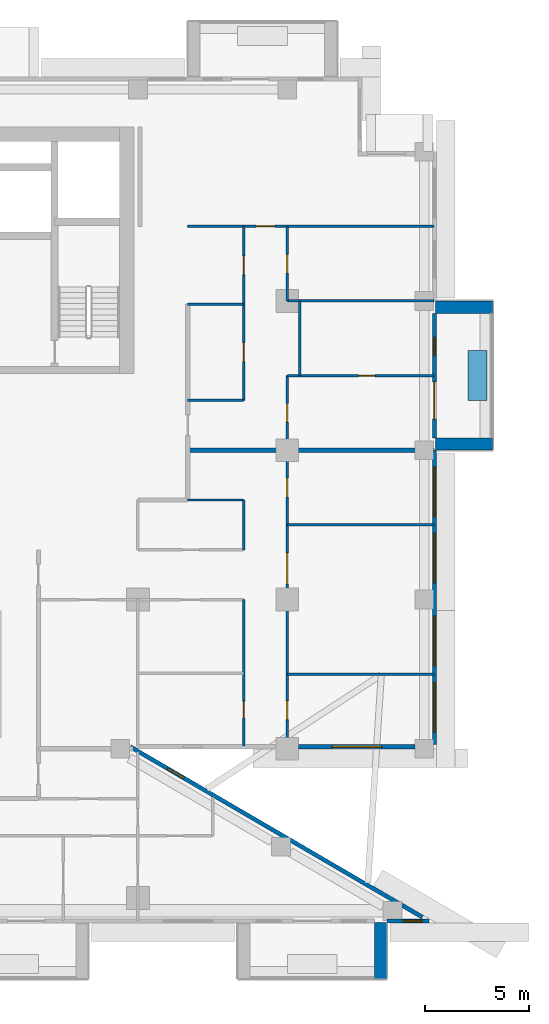
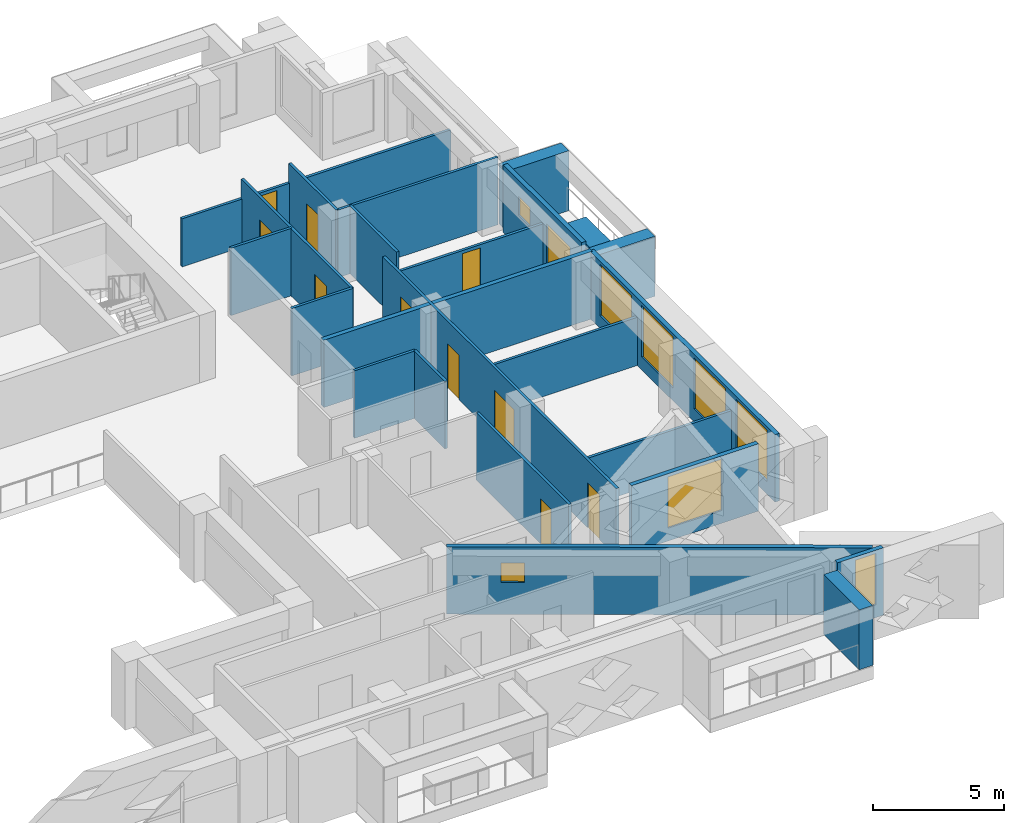
# One storey, part 11 of 19: 24 walls, 11 doors, 8 windows, 19 openings.
"""IFC4 building model written with IfcOpenShell, lengths in metres."""

from ifc_helpers import new_model, si_unit, direction, frame, frame_2d, origin, place, context, subcontext, project, spatial, rectangle, extrude, material, layer, layer_set, type_object, element, fill, save


model = new_model("IFC4")

# Units and contexts
model_context = context("Model", 3, precision=1e-05, world=origin(), true_north=direction((0.0, 1.0)))
body_context = subcontext(model_context, "Body", "Model", "MODEL_VIEW")
ifc_project = project(units=[si_unit("LENGTHUNIT", "METRE"), si_unit("AREAUNIT", "SQUARE_METRE"), si_unit("VOLUMEUNIT", "CUBIC_METRE"), si_unit("PLANEANGLEUNIT", "RADIAN"), si_unit("MASSUNIT", "GRAM", prefix="KILO")], contexts=[model_context])

# Site, building, storey
site_placement = place(None, origin())
site = spatial("IfcSite", under=ifc_project, at=site_placement, CompositionType="ELEMENT")
building_placement = place(site_placement, origin())
building = spatial("IfcBuilding", under=site, at=building_placement, Name="Saffron Iwan Residences", CompositionType="ELEMENT")
storey_placement = place(building_placement, frame((0.0, 0.0, 134.0)))
storey = spatial("IfcBuildingStorey", under=building, at=storey_placement, Name="L35", CompositionType="ELEMENT", Elevation=134.0)

# Walls
ifc_material_1 = material(Name="Concrete C50/60 white painted", Category="concrete")
ifc_layer_1 = layer(ifc_material_1, 0.60009765625)
ifc_layer_set_1 = layer_set([ifc_layer_1], Name="Concrete C50/60 white painted")
wall_type_1 = type_object("IfcWallType", Name="BALCONY FIN 600", PredefinedType="SOLIDWALL", material=ifc_layer_set_1)
for number, where, z_axis, x_axis, name in (
    (1, (86.35009765625, 62.699951171875, 0.0), (0.0, 0.0, 1.0), (1.0, 0.0, 0.0), "Balcony fin L35 F2-0a"),
    (2, (86.35009765625, 69.300048828125, 0.0), (0.0, 0.0, 1.0), (1.0, 0.0, 0.0), "Balcony fin L35 F2-0b"),
):
    element("IfcWall", number, at=place(storey_placement, frame(where, z_axis=z_axis, x_axis=x_axis)), inside=storey, type_object=wall_type_1, Name=name, PredefinedType="SOLIDWALL", context=body_context, shape_type="SweptSolid", body=[
        extrude(rectangle(XDim=2.75, YDim=0.60009765625, at=frame_2d((1.375, 0.0))), origin(), (0.0, 0.0, 1.0), 2.800048828125),
    ])
wall_1_placement = place(storey_placement, frame((83.699951171875, 39.624267578125, 0.0), z_axis=(0.0, 0.0, 1.0), x_axis=(0.0, -1.0, 0.0)))
element("IfcWall", 3, at=wall_1_placement, inside=storey, type_object=wall_type_1, Name="Balcony fin L35 11-3b", PredefinedType="SOLIDWALL", context=body_context, shape_type="SweptSolid", body=[
    extrude(rectangle(XDim=2.724365234375, YDim=0.60009765625, at=frame_2d((1.3623046875, 0.0))), origin(), (0.0, 0.0, 1.0), 2.800048828125),
])
ifc_material_2 = material(Name="Concrete C35/45 white painted", Category="concrete")
ifc_layer_2 = layer(ifc_material_2, 0.14990234375)
ifc_layer_set_2 = layer_set([ifc_layer_2], Name="Concrete C35/45 white painted")
wall_type_2 = type_object("IfcWallType", Name="BALCONY PLANTER", PredefinedType="SOLIDWALL", material=ifc_layer_set_2)
wall_2_placement = place(storey_placement, frame((88.375, 64.800048828125, 0.0), z_axis=(0.0, 0.0, 1.0), x_axis=(0.0, 1.0, 0.0)))
element("IfcWall", 4, at=wall_2_placement, inside=storey, type_object=wall_type_2, Name="PLANTER L35 F2-0", PredefinedType="SOLIDWALL", context=body_context, shape_type="SweptSolid", body=[
    extrude(rectangle(XDim=2.39990234375, YDim=0.89990234375, at=frame_2d((1.199951171875, 0.0))), origin(), (0.0, 0.0, 1.0), 0.89990234375),
])

# Wall, opening, window
ifc_material_3 = material(Name="Concrete C40/50", Category="concrete")
ifc_layer_3 = layer(ifc_material_3, 0.199951171875)
ifc_layer_set_3 = layer_set([ifc_layer_3], Name="Concrete C40/50")
wall_type_3 = type_object("IfcWallType", Name="EXTERNAL WALL 200", PredefinedType="SOLIDWALL", material=ifc_layer_set_3)
wall_3_placement = place(storey_placement, frame((85.71923828125, 39.88134765625, 0.0), z_axis=(0.0, 0.0, 1.0), x_axis=(-0.86377618652, 0.503875678716, 0.0)))
wall_3 = element("IfcWall", 5, at=wall_3_placement, inside=storey, type_object=wall_type_3, Name="External wall L35 F0.0", PredefinedType="SOLIDWALL", context=body_context, shape_type="SweptSolid", body=[
    extrude(rectangle(XDim=16.31103515625, YDim=0.199951171875, at=frame_2d((8.155517578125, 0.0))), origin(), (0.0, 0.0, 1.0), 3.14990234375),
])
opening_1_placement = place(wall_3_placement, frame((13.32568359375, 0.0, 1.5)))
opening_1 = element("IfcOpeningElement", 6, at=opening_1_placement, cuts=wall_3, Name="Opening W6", PredefinedType="OPENING", context=body_context, shape_type="SweptSolid", body=[
    extrude(rectangle(XDim=0.89990234375, YDim=0.89990234375, at=frame_2d((0.449951171875, 0.449951171875))), frame((0.0, 0.10986328125, 0.0), z_axis=(0.0, -1.0, 0.0), x_axis=(1.0, 0.0, 0.0)), (0.0, 0.0, 1.0), 0.219970703125),
])
ifc_material_4 = material(Name="Clear glass, laminated double glazed", Category="glass")
window_type_1 = type_object("IfcWindowType", Name="WINDOW 900 x 900 BATH", PartitioningType="SINGLE_PANEL", PredefinedType="WINDOW", material=ifc_material_4)
window_1_placement = place(opening_1_placement, origin())
window_1 = element("IfcWindow", 7, at=window_1_placement, inside=storey, type_object=window_type_1, Name="Window L35 F0.0", OverallHeight=0.89990234375, OverallWidth=0.89990234375, PartitioningType="SINGLE_PANEL", PredefinedType="WINDOW", context=body_context, shape_type="SweptSolid", body=[
    extrude(rectangle(XDim=0.89990234375, YDim=0.89990234375, at=frame_2d((0.449951171875, 0.449951171875))), frame((0.0, 0.030029296875, 0.0), z_axis=(0.0, -1.0, 0.0), x_axis=(1.0, 0.0, 0.0)), (0.0, 0.0, 1.0), 0.06005859375),
])
fill(opening_1, window_1)

wall_4_placement = place(storey_placement, frame((79.75, 48.10009765625, 0.0), z_axis=(0.0, 0.0, 1.0), x_axis=(1.0, 0.0, 0.0)))
wall_4 = element("IfcWall", 8, at=wall_4_placement, inside=storey, type_object=wall_type_3, Name="External wall L35 F1.1", PredefinedType="SOLIDWALL", context=body_context, shape_type="SweptSolid", body=[
    extrude(rectangle(XDim=5.60009765625, YDim=0.199951171875, at=frame_2d((2.800048828125, 0.0))), origin(), (0.0, 0.0, 1.0), 3.14990234375),
])
opening_2_placement = place(wall_4_placement, frame((1.60009765625, 0.0, 0.60009765625)))
opening_2 = element("IfcOpeningElement", 9, at=opening_2_placement, cuts=wall_4, Name="Opening W1", PredefinedType="OPENING", context=body_context, shape_type="SweptSolid", body=[
    extrude(rectangle(XDim=2.39990234375, YDim=2.39990234375, at=frame_2d((1.199951171875, 1.199951171875))), frame((0.0, 0.10986328125, 0.0), z_axis=(0.0, -1.0, 0.0), x_axis=(1.0, 0.0, 0.0)), (0.0, 0.0, 1.0), 0.219970703125),
])
window_type_2 = type_object("IfcWindowType", Name="WINDOW 2400 x 2400", PartitioningType="DOUBLE_PANEL_VERTICAL", PredefinedType="WINDOW", material=ifc_material_4)
window_2_placement = place(opening_2_placement, origin())
window_2 = element("IfcWindow", 10, at=window_2_placement, inside=storey, type_object=window_type_2, Name="Window L35 F1.0", OverallHeight=2.39990234375, OverallWidth=2.39990234375, PartitioningType="DOUBLE_PANEL_VERTICAL", PredefinedType="WINDOW", context=body_context, shape_type="SweptSolid", body=[
    extrude(rectangle(XDim=2.39990234375, YDim=2.39990234375, at=frame_2d((1.199951171875, 1.199951171875))), frame((0.0, 0.030029296875, 0.0), z_axis=(0.0, -1.0, 0.0), x_axis=(1.0, 0.0, 0.0)), (0.0, 0.0, 1.0), 0.06005859375),
])
fill(opening_2, window_2)

# Wall, openings, windows
wall_5_placement = place(storey_placement, frame((86.300048828125, 48.199951171875, 0.0), z_axis=(0.0, 0.0, 1.0), x_axis=(0.0, 1.0, 0.0)))
wall_5 = element("IfcWall", 11, at=wall_5_placement, inside=storey, type_object=wall_type_3, Name="External wall L35 F2.0", PredefinedType="SOLIDWALL", context=body_context, shape_type="SweptSolid", body=[
    extrude(rectangle(XDim=14.199951171875, YDim=0.199951171875, at=frame_2d((7.10009765625, 0.0))), origin(), (0.0, 0.0, 1.0), 3.14990234375),
])
opening_3_placement = place(wall_5_placement, frame((0.60009765625, 0.0, 0.60009765625)))
opening_3 = element("IfcOpeningElement", 12, at=opening_3_placement, cuts=wall_5, Name="Opening W1", PredefinedType="OPENING", context=body_context, shape_type="SweptSolid", body=[
    extrude(rectangle(XDim=2.39990234375, YDim=2.39990234375, at=frame_2d((1.199951171875, 1.199951171875))), frame((0.0, 0.10986328125, 0.0), z_axis=(0.0, -1.0, 0.0), x_axis=(1.0, 0.0, 0.0)), (0.0, 0.0, 1.0), 0.219970703125),
])
opening_4_placement = place(wall_5_placement, frame((3.800048828125, 0.0, 0.60009765625)))
opening_4 = element("IfcOpeningElement", 13, at=opening_4_placement, cuts=wall_5, Name="Opening W1", PredefinedType="OPENING", context=body_context, shape_type="SweptSolid", body=[
    extrude(rectangle(XDim=2.39990234375, YDim=2.39990234375, at=frame_2d((1.199951171875, 1.199951171875))), frame((0.0, 0.10986328125, 0.0), z_axis=(0.0, -1.0, 0.0), x_axis=(1.0, 0.0, 0.0)), (0.0, 0.0, 1.0), 0.219970703125),
])
opening_5_placement = place(wall_5_placement, frame((7.800048828125, 0.0, 0.60009765625)))
opening_5 = element("IfcOpeningElement", 14, at=opening_5_placement, cuts=wall_5, Name="Opening W1", PredefinedType="OPENING", context=body_context, shape_type="SweptSolid", body=[
    extrude(rectangle(XDim=2.39990234375, YDim=2.39990234375, at=frame_2d((1.199951171875, 1.199951171875))), frame((0.0, 0.10986328125, 0.0), z_axis=(0.0, -1.0, 0.0), x_axis=(1.0, 0.0, 0.0)), (0.0, 0.0, 1.0), 0.219970703125),
])
opening_6_placement = place(wall_5_placement, frame((11.0, 0.0, 0.60009765625)))
opening_6 = element("IfcOpeningElement", 15, at=opening_6_placement, cuts=wall_5, Name="Opening W1", PredefinedType="OPENING", context=body_context, shape_type="SweptSolid", body=[
    extrude(rectangle(XDim=2.39990234375, YDim=2.39990234375, at=frame_2d((1.199951171875, 1.199951171875))), frame((0.0, 0.10986328125, 0.0), z_axis=(0.0, -1.0, 0.0), x_axis=(1.0, 0.0, 0.0)), (0.0, 0.0, 1.0), 0.219970703125),
])
window_3_placement = place(opening_3_placement, origin())
window_3 = element("IfcWindow", 16, at=window_3_placement, inside=storey, type_object=window_type_2, Name="Window L35 F2.0", OverallHeight=2.39990234375, OverallWidth=2.39990234375, PartitioningType="DOUBLE_PANEL_VERTICAL", PredefinedType="WINDOW", context=body_context, shape_type="SweptSolid", body=[
    extrude(rectangle(XDim=2.39990234375, YDim=2.39990234375, at=frame_2d((1.199951171875, 1.199951171875))), frame((0.0, 0.030029296875, 0.0), z_axis=(0.0, -1.0, 0.0), x_axis=(1.0, 0.0, 0.0)), (0.0, 0.0, 1.0), 0.06005859375),
])
fill(opening_3, window_3)
window_4_placement = place(opening_4_placement, origin())
window_4 = element("IfcWindow", 17, at=window_4_placement, inside=storey, type_object=window_type_2, Name="Window L35 F2.1", OverallHeight=2.39990234375, OverallWidth=2.39990234375, PartitioningType="DOUBLE_PANEL_VERTICAL", PredefinedType="WINDOW", context=body_context, shape_type="SweptSolid", body=[
    extrude(rectangle(XDim=2.39990234375, YDim=2.39990234375, at=frame_2d((1.199951171875, 1.199951171875))), frame((0.0, 0.030029296875, 0.0), z_axis=(0.0, -1.0, 0.0), x_axis=(1.0, 0.0, 0.0)), (0.0, 0.0, 1.0), 0.06005859375),
])
fill(opening_4, window_4)
window_5_placement = place(opening_5_placement, origin())
window_5 = element("IfcWindow", 18, at=window_5_placement, inside=storey, type_object=window_type_2, Name="Window L35 F2.2", OverallHeight=2.39990234375, OverallWidth=2.39990234375, PartitioningType="DOUBLE_PANEL_VERTICAL", PredefinedType="WINDOW", context=body_context, shape_type="SweptSolid", body=[
    extrude(rectangle(XDim=2.39990234375, YDim=2.39990234375, at=frame_2d((1.199951171875, 1.199951171875))), frame((0.0, 0.030029296875, 0.0), z_axis=(0.0, -1.0, 0.0), x_axis=(1.0, 0.0, 0.0)), (0.0, 0.0, 1.0), 0.06005859375),
])
fill(opening_5, window_5)
window_6_placement = place(opening_6_placement, origin())
window_6 = element("IfcWindow", 19, at=window_6_placement, inside=storey, type_object=window_type_2, Name="Window L35 F2.3", OverallHeight=2.39990234375, OverallWidth=2.39990234375, PartitioningType="DOUBLE_PANEL_VERTICAL", PredefinedType="WINDOW", context=body_context, shape_type="SweptSolid", body=[
    extrude(rectangle(XDim=2.39990234375, YDim=2.39990234375, at=frame_2d((1.199951171875, 1.199951171875))), frame((0.0, 0.030029296875, 0.0), z_axis=(0.0, -1.0, 0.0), x_axis=(1.0, 0.0, 0.0)), (0.0, 0.0, 1.0), 0.06005859375),
])
fill(opening_6, window_6)

# Wall, openings, door, window
wall_6_placement = place(storey_placement, frame((86.300048828125, 63.0, 0.0), z_axis=(0.0, 0.0, 1.0), x_axis=(0.0, 1.0, 0.0)))
wall_6 = element("IfcWall", 20, at=wall_6_placement, inside=storey, type_object=wall_type_3, Name="External wall L35 F2.1", PredefinedType="SOLIDWALL", context=body_context, shape_type="SweptSolid", body=[
    extrude(rectangle(XDim=6.0, YDim=0.199951171875, at=frame_2d((3.0, 0.0))), origin(), (0.0, 0.0, 1.0), 3.14990234375),
])
opening_7_placement = place(wall_6_placement, frame((0.89990234375, 0.0, 0.0)))
opening_7 = element("IfcOpeningElement", 21, at=opening_7_placement, cuts=wall_6, Name="Opening BD1", PredefinedType="OPENING", context=body_context, shape_type="SweptSolid", body=[
    extrude(rectangle(XDim=1.800048828125, YDim=2.39990234375, at=frame_2d((0.89990234375, 1.199951171875))), frame((0.0, 0.10986328125, 0.0), z_axis=(0.0, -1.0, 0.0), x_axis=(1.0, 0.0, 0.0)), (0.0, 0.0, 1.0), 0.219970703125),
])
opening_8_placement = place(wall_6_placement, frame((3.949951171875, 0.0, 1.5)))
opening_8 = element("IfcOpeningElement", 22, at=opening_8_placement, cuts=wall_6, Name="Opening W6", PredefinedType="OPENING", context=body_context, shape_type="SweptSolid", body=[
    extrude(rectangle(XDim=0.89990234375, YDim=0.89990234375, at=frame_2d((0.449951171875, 0.449951171875))), frame((0.0, 0.10986328125, 0.0), z_axis=(0.0, -1.0, 0.0), x_axis=(1.0, 0.0, 0.0)), (0.0, 0.0, 1.0), 0.219970703125),
])
door_type_1 = type_object("IfcDoorType", Name="BALCONY DOOR 1800 x 2400", OperationType="DOUBLE_DOOR_SLIDING", PredefinedType="DOOR", material=ifc_material_4)
door_1_placement = place(opening_7_placement, origin())
door_1 = element("IfcDoor", 23, at=door_1_placement, inside=storey, type_object=door_type_1, Name="Balcony door L35 F2.0", OperationType="DOUBLE_DOOR_SLIDING", OverallHeight=2.39990234375, OverallWidth=1.800048828125, PredefinedType="DOOR", context=body_context, shape_type="SweptSolid", body=[
    extrude(rectangle(XDim=1.800048828125, YDim=2.39990234375, at=frame_2d((0.89990234375, 1.199951171875))), frame((0.0, 0.02490234375, 0.0), z_axis=(0.0, -1.0, 0.0), x_axis=(1.0, 0.0, 0.0)), (0.0, 0.0, 1.0), 0.050048828125),
])
fill(opening_7, door_1)
window_7_placement = place(opening_8_placement, origin())
window_7 = element("IfcWindow", 24, at=window_7_placement, inside=storey, type_object=window_type_1, Name="Window L35 F2.1", OverallHeight=0.89990234375, OverallWidth=0.89990234375, PartitioningType="SINGLE_PANEL", PredefinedType="WINDOW", context=body_context, shape_type="SweptSolid", body=[
    extrude(rectangle(XDim=0.89990234375, YDim=0.89990234375, at=frame_2d((0.449951171875, 0.449951171875))), frame((0.0, 0.030029296875, 0.0), z_axis=(0.0, -1.0, 0.0), x_axis=(1.0, 0.0, 0.0)), (0.0, 0.0, 1.0), 0.06005859375),
])
fill(opening_8, window_7)

# Wall, opening, window
wall_7_placement = place(storey_placement, frame((84.0, 39.699951171875, 0.0), z_axis=(0.0, 0.0, 1.0), x_axis=(1.0, 0.0, 0.0)))
wall_7 = element("IfcWall", 25, at=wall_7_placement, inside=storey, type_object=wall_type_3, Name="External wall L35 F11.2", PredefinedType="SOLIDWALL", context=body_context, shape_type="SweptSolid", body=[
    extrude(rectangle(XDim=2.030029296875, YDim=0.199951171875, at=frame_2d((1.01513671875, 0.0))), origin(), (0.0, 0.0, 1.0), 3.14990234375),
])
opening_9_placement = place(wall_7_placement, frame((0.80322265625, 0.0, 0.60009765625)))
opening_9 = element("IfcOpeningElement", 26, at=opening_9_placement, cuts=wall_7, Name="Opening W10", PredefinedType="OPENING", context=body_context, shape_type="SweptSolid", body=[
    extrude(rectangle(XDim=0.89990234375, YDim=2.39990234375, at=frame_2d((0.449951171875, 1.199951171875))), frame((0.0, 0.10986328125, 0.0), z_axis=(0.0, -1.0, 0.0), x_axis=(1.0, 0.0, 0.0)), (0.0, 0.0, 1.0), 0.219970703125),
])
window_type_3 = type_object("IfcWindowType", Name="WINDOW 900 x 2400", PartitioningType="SINGLE_PANEL", PredefinedType="WINDOW", material=ifc_material_4)
window_8_placement = place(opening_9_placement, origin())
window_8 = element("IfcWindow", 27, at=window_8_placement, inside=storey, type_object=window_type_3, Name="Window L35 F11.0", OverallHeight=2.39990234375, OverallWidth=0.89990234375, PartitioningType="SINGLE_PANEL", PredefinedType="WINDOW", context=body_context, shape_type="SweptSolid", body=[
    extrude(rectangle(XDim=0.89990234375, YDim=2.39990234375, at=frame_2d((0.449951171875, 1.199951171875))), frame((0.0, 0.030029296875, 0.0), z_axis=(0.0, -1.0, 0.0), x_axis=(1.0, 0.0, 0.0)), (0.0, 0.0, 1.0), 0.06005859375),
])
fill(opening_9, window_8)

# Walls
ifc_material_5 = material(Name="Fire-rated gypsum board wall")
ifc_layer_4 = layer(ifc_material_5, 0.199951171875)
ifc_layer_set_4 = layer_set([ifc_layer_4], Name="Fire-rated gypsum board wall")
wall_type_4 = type_object("IfcWallType", Name="Flat demising wall 200", PredefinedType="SOLIDWALL", material=ifc_layer_set_4)
wall_8_placement = place(storey_placement, frame((74.39990234375, 62.39990234375, 0.0), z_axis=(0.0, 0.0, 1.0), x_axis=(1.0, 0.0, 0.0)))
element("IfcWall", 28, at=wall_8_placement, inside=storey, type_object=wall_type_4, Name="W-L35-DEMISE-h62.4-74.4", PredefinedType="SOLIDWALL", context=body_context, shape_type="SweptSolid", body=[
    extrude(rectangle(XDim=11.875, YDim=0.199951171875, at=frame_2d((5.9375, 0.0))), origin(), (0.0, 0.0, 1.0), 3.14990234375),
])
ifc_material_6 = material(Name="Gypsum board partition")
ifc_layer_5 = layer(ifc_material_6, 0.1201171875)
ifc_layer_set_5 = layer_set([ifc_layer_5], Name="Gypsum board partition")
wall_type_5 = type_object("IfcWallType", Name="Flat partition 120", PredefinedType="PARTITIONING", material=ifc_layer_set_5)
for number, where, z_axis, x_axis, name in (
    (29, (79.199951171875, 51.60009765625, 0.0), (0.0, 0.0, 1.0), (1.0, 0.0, 0.0), "W-L35-PART-h51.6-79.2"),
    (30, (79.199951171875, 58.800048828125, 0.0), (0.0, 0.0, 1.0), (1.0, 0.0, 0.0), "W-L35-PART-h58.8-79.2"),
):
    element("IfcWall", number, at=place(storey_placement, frame(where, z_axis=z_axis, x_axis=x_axis)), inside=storey, type_object=wall_type_5, Name=name, PredefinedType="PARTITIONING", context=body_context, shape_type="SweptSolid", body=[
        extrude(rectangle(XDim=7.074951171875, YDim=0.1201171875, at=frame_2d((3.53759765625, 0.0))), origin(), (0.0, 0.0, 1.0), 2.25),
    ])
for number, where, z_axis, x_axis, name in (
    (31, (74.39990234375, 60.0, 0.0), (0.0, 0.0, 1.0), (1.0, 0.0, 0.0), "W-L35-PART-h60-74.4"),
    (32, (74.39990234375, 64.800048828125, 0.0), (0.0, 0.0, 1.0), (1.0, 0.0, 0.0), "W-L35-PART-h64.8-74.4"),
):
    element("IfcWall", number, at=place(storey_placement, frame(where, z_axis=z_axis, x_axis=x_axis)), inside=storey, type_object=wall_type_5, Name=name, PredefinedType="PARTITIONING", context=body_context, shape_type="SweptSolid", body=[
        extrude(rectangle(XDim=2.7001953125, YDim=0.1201171875, at=frame_2d((1.35009765625, 0.0))), origin(), (0.0, 0.0, 1.0), 3.14990234375),
    ])

# Wall, opening, door
wall_9_placement = place(storey_placement, frame((79.199951171875, 66.0, 0.0), z_axis=(0.0, 0.0, 1.0), x_axis=(1.0, 0.0, 0.0)))
wall_9 = element("IfcWall", 33, at=wall_9_placement, inside=storey, type_object=wall_type_5, Name="W-L35-PART-h66-79.2", PredefinedType="PARTITIONING", context=body_context, shape_type="SweptSolid", body=[
    extrude(rectangle(XDim=7.074951171875, YDim=0.1201171875, at=frame_2d((3.53759765625, 0.0))), origin(), (0.0, 0.0, 1.0), 2.25),
])
opening_10_placement = place(wall_9_placement, frame((3.4375, 0.0, 0.0)))
opening_10 = element("IfcOpeningElement", 34, at=opening_10_placement, cuts=wall_9, Name="Opening FD3", PredefinedType="OPENING", context=body_context, shape_type="SweptSolid", body=[
    extrude(rectangle(XDim=0.800048828125, YDim=2.10009765625, at=frame_2d((0.39990234375, 1.050048828125))), frame((0.0, 0.070068359375, 0.0), z_axis=(0.0, -1.0, 0.0), x_axis=(1.0, 0.0, 0.0)), (0.0, 0.0, 1.0), 0.14013671875),
])
ifc_material_7 = material(Name="Timber door", Category="wood")
door_type_2 = type_object("IfcDoorType", Name="Bathroom door 800", OperationType="NOTDEFINED", PredefinedType="DOOR", material=ifc_material_7)
door_2_placement = place(opening_10_placement, origin())
door_2 = element("IfcDoor", 35, at=door_2_placement, inside=storey, type_object=door_type_2, Name="Door L35-031", OperationType="SINGLE_SWING_LEFT", OverallHeight=2.10009765625, OverallWidth=0.800048828125, PredefinedType="DOOR", context=body_context, shape_type="SweptSolid", body=[
    extrude(rectangle(XDim=0.800048828125, YDim=2.10009765625, at=frame_2d((0.39990234375, 1.050048828125))), frame((0.0, 0.02490234375, 0.0), z_axis=(0.0, -1.0, 0.0), x_axis=(1.0, 0.0, 0.0)), (0.0, 0.0, 1.0), 0.050048828125),
])
fill(opening_10, door_2)

# Walls
wall_10_placement = place(storey_placement, frame((74.39990234375, 69.449951171875, 0.0), z_axis=(0.0, 0.0, 1.0), x_axis=(1.0, 0.0, 0.0)))
element("IfcWall", 36, at=wall_10_placement, inside=storey, type_object=wall_type_5, Name="W-L35-PART-h69.45-74.4", PredefinedType="PARTITIONING", context=body_context, shape_type="SweptSolid", body=[
    extrude(rectangle(XDim=2.7001953125, YDim=0.1201171875, at=frame_2d((1.35009765625, 0.0))), origin(), (0.0, 0.0, 1.0), 3.14990234375),
])
wall_11_placement = place(storey_placement, frame((79.199951171875, 69.60009765625, 0.0), z_axis=(0.0, 0.0, 1.0), x_axis=(1.0, 0.0, 0.0)))
element("IfcWall", 37, at=wall_11_placement, inside=storey, type_object=wall_type_5, Name="W-L35-PART-h69.6-79.2", PredefinedType="PARTITIONING", context=body_context, shape_type="SweptSolid", body=[
    extrude(rectangle(XDim=7.074951171875, YDim=0.1201171875, at=frame_2d((3.53759765625, 0.0))), origin(), (0.0, 0.0, 1.0), 3.14990234375),
])

# Wall, opening, door
wall_12_placement = place(storey_placement, frame((74.39990234375, 73.199951171875, 0.0), z_axis=(0.0, 0.0, 1.0), x_axis=(1.0, 0.0, 0.0)))
wall_12 = element("IfcWall", 38, at=wall_12_placement, inside=storey, type_object=wall_type_5, Name="W-L35-PART-h73.2-74.4", PredefinedType="PARTITIONING", context=body_context, shape_type="SweptSolid", body=[
    extrude(rectangle(XDim=11.875, YDim=0.1201171875, at=frame_2d((5.9375, 0.0))), origin(), (0.0, 0.0, 1.0), 2.25),
])
opening_11_placement = place(wall_12_placement, frame((3.300048828125, 0.0, 0.0)))
opening_11 = element("IfcOpeningElement", 39, at=opening_11_placement, cuts=wall_12, Name="Opening FD2", PredefinedType="OPENING", context=body_context, shape_type="SweptSolid", body=[
    extrude(rectangle(XDim=0.89990234375, YDim=2.10009765625, at=frame_2d((0.449951171875, 1.050048828125))), frame((0.0, 0.070068359375, 0.0), z_axis=(0.0, -1.0, 0.0), x_axis=(1.0, 0.0, 0.0)), (0.0, 0.0, 1.0), 0.14013671875),
])
door_type_3 = type_object("IfcDoorType", Name="Flat door 900", OperationType="NOTDEFINED", PredefinedType="DOOR", material=ifc_material_7)
door_3_placement = place(opening_11_placement, origin())
door_3 = element("IfcDoor", 40, at=door_3_placement, inside=storey, type_object=door_type_3, Name="Door L35-033", OperationType="SINGLE_SWING_LEFT", OverallHeight=2.10009765625, OverallWidth=0.89990234375, PredefinedType="DOOR", context=body_context, shape_type="SweptSolid", body=[
    extrude(rectangle(XDim=0.89990234375, YDim=2.10009765625, at=frame_2d((0.449951171875, 1.050048828125))), frame((0.0, 0.02490234375, 0.0), z_axis=(0.0, -1.0, 0.0), x_axis=(1.0, 0.0, 0.0)), (0.0, 0.0, 1.0), 0.050048828125),
])
fill(opening_11, door_3)

wall_13_placement = place(storey_placement, frame((77.10009765625, 48.125, 0.0), z_axis=(0.0, 0.0, 1.0), x_axis=(0.0, 1.0, 0.0)))
wall_13 = element("IfcWall", 41, at=wall_13_placement, inside=storey, type_object=wall_type_5, Name="W-L35-PART-v77.1-48.125", PredefinedType="PARTITIONING", context=body_context, shape_type="SweptSolid", body=[
    extrude(rectangle(XDim=7.074951171875, YDim=0.1201171875, at=frame_2d((3.53759765625, 0.0))), origin(), (0.0, 0.0, 1.0), 3.14990234375),
])
opening_12_placement = place(wall_13_placement, frame((1.362548828125, 0.0, 0.0)))
opening_12 = element("IfcOpeningElement", 42, at=opening_12_placement, cuts=wall_13, Name="Opening FD3", PredefinedType="OPENING", context=body_context, shape_type="SweptSolid", body=[
    extrude(rectangle(XDim=0.800048828125, YDim=2.10009765625, at=frame_2d((0.39990234375, 1.050048828125))), frame((0.0, 0.070068359375, 0.0), z_axis=(0.0, -1.0, 0.0), x_axis=(1.0, 0.0, 0.0)), (0.0, 0.0, 1.0), 0.14013671875),
])
door_4_placement = place(opening_12_placement, origin())
door_4 = element("IfcDoor", 43, at=door_4_placement, inside=storey, type_object=door_type_2, Name="Door L35-017", OperationType="SINGLE_SWING_RIGHT", OverallHeight=2.10009765625, OverallWidth=0.800048828125, PredefinedType="DOOR", context=body_context, shape_type="SweptSolid", body=[
    extrude(rectangle(XDim=0.800048828125, YDim=2.10009765625, at=frame_2d((0.39990234375, 1.050048828125))), frame((0.0, 0.02490234375, 0.0), z_axis=(0.0, -1.0, 0.0), x_axis=(1.0, 0.0, 0.0)), (0.0, 0.0, 1.0), 0.050048828125),
])
fill(opening_12, door_4)

# Wall
wall_14_placement = place(storey_placement, frame((77.10009765625, 57.60009765625, 0.0), z_axis=(0.0, 0.0, 1.0), x_axis=(0.0, 1.0, 0.0)))
element("IfcWall", 44, at=wall_14_placement, inside=storey, type_object=wall_type_5, Name="W-L35-PART-v77.1-57.6", PredefinedType="PARTITIONING", context=body_context, shape_type="SweptSolid", body=[
    extrude(rectangle(XDim=2.39990234375, YDim=0.1201171875, at=frame_2d((1.199951171875, 0.0))), origin(), (0.0, 0.0, 1.0), 3.14990234375),
])

# Wall, openings, doors
wall_15_placement = place(storey_placement, frame((77.10009765625, 64.800048828125, 0.0), z_axis=(0.0, 0.0, 1.0), x_axis=(0.0, 1.0, 0.0)))
wall_15 = element("IfcWall", 45, at=wall_15_placement, inside=storey, type_object=wall_type_5, Name="W-L35-PART-v77.1-64.8", PredefinedType="PARTITIONING", context=body_context, shape_type="SweptSolid", body=[
    extrude(rectangle(XDim=8.39990234375, YDim=0.1201171875, at=frame_2d((4.199951171875, 0.0))), origin(), (0.0, 0.0, 1.0), 3.14990234375),
])
opening_13_placement = place(wall_15_placement, frame((1.875, 0.0, 0.0)))
opening_13 = element("IfcOpeningElement", 46, at=opening_13_placement, cuts=wall_15, Name="Opening FD2", PredefinedType="OPENING", context=body_context, shape_type="SweptSolid", body=[
    extrude(rectangle(XDim=0.89990234375, YDim=2.10009765625, at=frame_2d((0.449951171875, 1.050048828125))), frame((0.0, 0.070068359375, 0.0), z_axis=(0.0, -1.0, 0.0), x_axis=(1.0, 0.0, 0.0)), (0.0, 0.0, 1.0), 0.14013671875),
])
opening_14_placement = place(wall_15_placement, frame((6.074951171875, 0.0, 0.0)))
opening_14 = element("IfcOpeningElement", 47, at=opening_14_placement, cuts=wall_15, Name="Opening FD2", PredefinedType="OPENING", context=body_context, shape_type="SweptSolid", body=[
    extrude(rectangle(XDim=0.89990234375, YDim=2.10009765625, at=frame_2d((0.449951171875, 1.050048828125))), frame((0.0, 0.070068359375, 0.0), z_axis=(0.0, -1.0, 0.0), x_axis=(1.0, 0.0, 0.0)), (0.0, 0.0, 1.0), 0.14013671875),
])
door_5_placement = place(opening_13_placement, origin())
door_5 = element("IfcDoor", 48, at=door_5_placement, inside=storey, type_object=door_type_3, Name="Door L35-034", OperationType="SINGLE_SWING_LEFT", OverallHeight=2.10009765625, OverallWidth=0.89990234375, PredefinedType="DOOR", context=body_context, shape_type="SweptSolid", body=[
    extrude(rectangle(XDim=0.89990234375, YDim=2.10009765625, at=frame_2d((0.449951171875, 1.050048828125))), frame((0.0, 0.02490234375, 0.0), z_axis=(0.0, -1.0, 0.0), x_axis=(1.0, 0.0, 0.0)), (0.0, 0.0, 1.0), 0.050048828125),
])
fill(opening_13, door_5)
door_6_placement = place(opening_14_placement, origin())
door_6 = element("IfcDoor", 49, at=door_6_placement, inside=storey, type_object=door_type_3, Name="Door L35-035", OperationType="SINGLE_SWING_RIGHT", OverallHeight=2.10009765625, OverallWidth=0.89990234375, PredefinedType="DOOR", context=body_context, shape_type="SweptSolid", body=[
    extrude(rectangle(XDim=0.89990234375, YDim=2.10009765625, at=frame_2d((0.449951171875, 1.050048828125))), frame((0.0, 0.02490234375, 0.0), z_axis=(0.0, -1.0, 0.0), x_axis=(1.0, 0.0, 0.0)), (0.0, 0.0, 1.0), 0.050048828125),
])
fill(opening_14, door_6)

wall_16_placement = place(storey_placement, frame((79.199951171875, 48.125, 0.0), z_axis=(0.0, 0.0, 1.0), x_axis=(0.0, 1.0, 0.0)))
wall_16 = element("IfcWall", 50, at=wall_16_placement, inside=storey, type_object=wall_type_5, Name="W-L35-PART-v79.2-48.125", PredefinedType="PARTITIONING", context=body_context, shape_type="SweptSolid", body=[
    extrude(rectangle(XDim=17.875, YDim=0.1201171875, at=frame_2d((8.9375, 0.0))), origin(), (0.0, 0.0, 1.0), 3.14990234375),
])
opening_15_placement = place(wall_16_placement, frame((1.28759765625, 0.0, 0.0)))
opening_15 = element("IfcOpeningElement", 51, at=opening_15_placement, cuts=wall_16, Name="Opening FD2", PredefinedType="OPENING", context=body_context, shape_type="SweptSolid", body=[
    extrude(rectangle(XDim=0.89990234375, YDim=2.10009765625, at=frame_2d((0.449951171875, 1.050048828125))), frame((0.0, 0.070068359375, 0.0), z_axis=(0.0, -1.0, 0.0), x_axis=(1.0, 0.0, 0.0)), (0.0, 0.0, 1.0), 0.14013671875),
])
opening_16_placement = place(wall_16_placement, frame((7.824951171875, 0.0, 0.0)))
opening_16 = element("IfcOpeningElement", 52, at=opening_16_placement, cuts=wall_16, Name="Opening FD4", PredefinedType="OPENING", context=body_context, shape_type="SweptSolid", body=[
    extrude(rectangle(XDim=1.5, YDim=2.10009765625, at=frame_2d((0.75, 1.050048828125))), frame((0.0, 0.070068359375, 0.0), z_axis=(0.0, -1.0, 0.0), x_axis=(1.0, 0.0, 0.0)), (0.0, 0.0, 1.0), 0.14013671875),
])
opening_17_placement = place(wall_16_placement, frame((12.02490234375, 0.0, 0.0)))
opening_17 = element("IfcOpeningElement", 53, at=opening_17_placement, cuts=wall_16, Name="Opening FD2", PredefinedType="OPENING", context=body_context, shape_type="SweptSolid", body=[
    extrude(rectangle(XDim=0.89990234375, YDim=2.10009765625, at=frame_2d((0.449951171875, 1.050048828125))), frame((0.0, 0.070068359375, 0.0), z_axis=(0.0, -1.0, 0.0), x_axis=(1.0, 0.0, 0.0)), (0.0, 0.0, 1.0), 0.14013671875),
])
opening_18_placement = place(wall_16_placement, frame((15.625, 0.0, 0.0)))
opening_18 = element("IfcOpeningElement", 54, at=opening_18_placement, cuts=wall_16, Name="Opening FD2", PredefinedType="OPENING", context=body_context, shape_type="SweptSolid", body=[
    extrude(rectangle(XDim=0.89990234375, YDim=2.10009765625, at=frame_2d((0.449951171875, 1.050048828125))), frame((0.0, 0.070068359375, 0.0), z_axis=(0.0, -1.0, 0.0), x_axis=(1.0, 0.0, 0.0)), (0.0, 0.0, 1.0), 0.14013671875),
])
door_type_4 = type_object("IfcDoorType", Name="Double door 1500", OperationType="NOTDEFINED", PredefinedType="DOOR", material=ifc_material_7)
door_7_placement = place(opening_16_placement, origin())
door_7 = element("IfcDoor", 55, at=door_7_placement, inside=storey, type_object=door_type_4, Name="Door L35-015", OperationType="SINGLE_SWING_RIGHT", OverallHeight=2.10009765625, OverallWidth=1.5, PredefinedType="DOOR", context=body_context, shape_type="SweptSolid", body=[
    extrude(rectangle(XDim=1.5, YDim=2.10009765625, at=frame_2d((0.75, 1.050048828125))), frame((0.0, 0.02490234375, 0.0), z_axis=(0.0, -1.0, 0.0), x_axis=(1.0, 0.0, 0.0)), (0.0, 0.0, 1.0), 0.050048828125),
])
fill(opening_16, door_7)
door_8_placement = place(opening_15_placement, origin())
door_8 = element("IfcDoor", 56, at=door_8_placement, inside=storey, type_object=door_type_3, Name="Door L35-014", OperationType="SINGLE_SWING_RIGHT", OverallHeight=2.10009765625, OverallWidth=0.89990234375, PredefinedType="DOOR", context=body_context, shape_type="SweptSolid", body=[
    extrude(rectangle(XDim=0.89990234375, YDim=2.10009765625, at=frame_2d((0.449951171875, 1.050048828125))), frame((0.0, 0.02490234375, 0.0), z_axis=(0.0, -1.0, 0.0), x_axis=(1.0, 0.0, 0.0)), (0.0, 0.0, 1.0), 0.050048828125),
])
fill(opening_15, door_8)
door_9_placement = place(opening_17_placement, origin())
door_9 = element("IfcDoor", 57, at=door_9_placement, inside=storey, type_object=door_type_3, Name="Door L35-016", OperationType="SINGLE_SWING_LEFT", OverallHeight=2.10009765625, OverallWidth=0.89990234375, PredefinedType="DOOR", context=body_context, shape_type="SweptSolid", body=[
    extrude(rectangle(XDim=0.89990234375, YDim=2.10009765625, at=frame_2d((0.449951171875, 1.050048828125))), frame((0.0, 0.02490234375, 0.0), z_axis=(0.0, -1.0, 0.0), x_axis=(1.0, 0.0, 0.0)), (0.0, 0.0, 1.0), 0.050048828125),
])
fill(opening_17, door_9)
door_10_placement = place(opening_18_placement, origin())
door_10 = element("IfcDoor", 58, at=door_10_placement, inside=storey, type_object=door_type_3, Name="Door L35-030", OperationType="SINGLE_SWING_LEFT", OverallHeight=2.10009765625, OverallWidth=0.89990234375, PredefinedType="DOOR", context=body_context, shape_type="SweptSolid", body=[
    extrude(rectangle(XDim=0.89990234375, YDim=2.10009765625, at=frame_2d((0.449951171875, 1.050048828125))), frame((0.0, 0.02490234375, 0.0), z_axis=(0.0, -1.0, 0.0), x_axis=(1.0, 0.0, 0.0)), (0.0, 0.0, 1.0), 0.050048828125),
])
fill(opening_18, door_10)

# Wall, opening, door
wall_17_placement = place(storey_placement, frame((79.199951171875, 69.60009765625, 0.0), z_axis=(0.0, 0.0, 1.0), x_axis=(0.0, 1.0, 0.0)))
wall_17 = element("IfcWall", 59, at=wall_17_placement, inside=storey, type_object=wall_type_5, Name="W-L35-PART-v79.2-69.6", PredefinedType="PARTITIONING", context=body_context, shape_type="SweptSolid", body=[
    extrude(rectangle(XDim=3.599853515625, YDim=0.1201171875, at=frame_2d((1.7998046875, 0.0))), origin(), (0.0, 0.0, 1.0), 3.14990234375),
])
opening_19_placement = place(wall_17_placement, frame((1.35009765625, 0.0, 0.0)))
opening_19 = element("IfcOpeningElement", 60, at=opening_19_placement, cuts=wall_17, Name="Opening FD2", PredefinedType="OPENING", context=body_context, shape_type="SweptSolid", body=[
    extrude(rectangle(XDim=0.89990234375, YDim=2.10009765625, at=frame_2d((0.449951171875, 1.050048828125))), frame((0.0, 0.070068359375, 0.0), z_axis=(0.0, -1.0, 0.0), x_axis=(1.0, 0.0, 0.0)), (0.0, 0.0, 1.0), 0.14013671875),
])
door_11_placement = place(opening_19_placement, origin())
door_11 = element("IfcDoor", 61, at=door_11_placement, inside=storey, type_object=door_type_3, Name="Door L35-032", OperationType="SINGLE_SWING_RIGHT", OverallHeight=2.10009765625, OverallWidth=0.89990234375, PredefinedType="DOOR", context=body_context, shape_type="SweptSolid", body=[
    extrude(rectangle(XDim=0.89990234375, YDim=2.10009765625, at=frame_2d((0.449951171875, 1.050048828125))), frame((0.0, 0.02490234375, 0.0), z_axis=(0.0, -1.0, 0.0), x_axis=(1.0, 0.0, 0.0)), (0.0, 0.0, 1.0), 0.050048828125),
])
fill(opening_19, door_11)

# Wall
wall_18_placement = place(storey_placement, frame((79.800048828125, 66.0, 0.0), z_axis=(0.0, 0.0, 1.0), x_axis=(0.0, 1.0, 0.0)))
element("IfcWall", 62, at=wall_18_placement, inside=storey, type_object=wall_type_5, Name="W-L35-PART-v79.8-66", PredefinedType="PARTITIONING", context=body_context, shape_type="SweptSolid", body=[
    extrude(rectangle(XDim=3.60009765625, YDim=0.1201171875, at=frame_2d((1.800048828125, 0.0))), origin(), (0.0, 0.0, 1.0), 3.14990234375),
])

save(model, "model.ifc")
